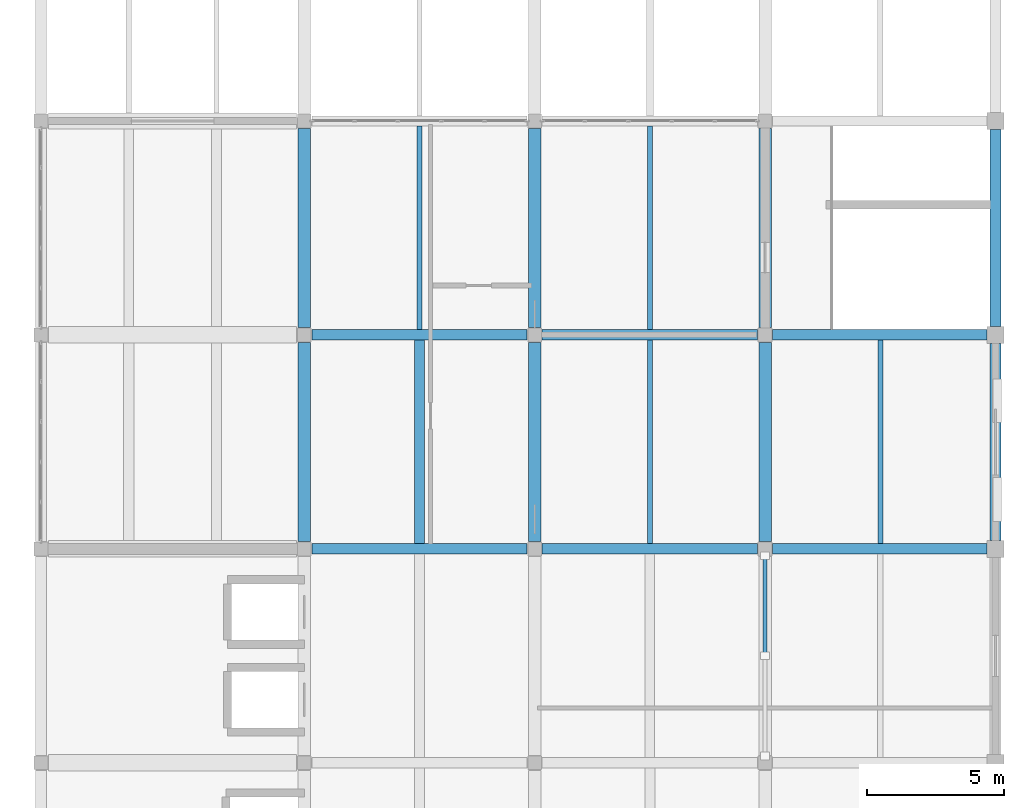
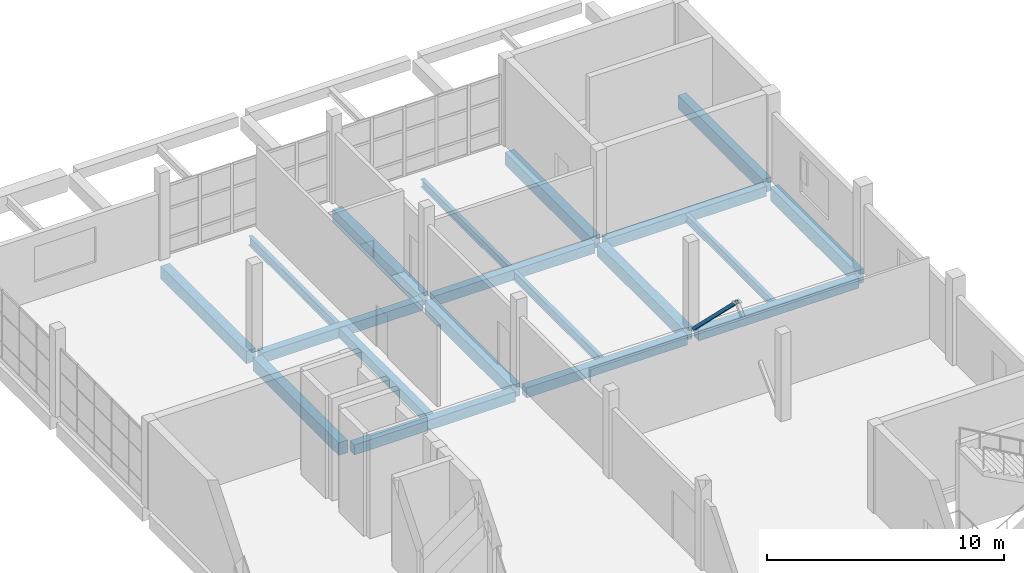
# One storey, part 30 of 53: 19 beams, 1 member.
"""IFC4 building model written with IfcOpenShell, lengths in metres."""

from ifc_helpers import new_model, si_unit, direction, frame, origin, origin_2d, place, context, subcontext, project, spatial, rectangle, hollow_rectangle, i_section, extrude, material, material_profile, profile_set, type_object, element, save


model = new_model("IFC4")

# Units and contexts
model_context = context("Model", 3, precision=1e-05, world=origin(), true_north=direction((0.0, 1.0)))
body_context = subcontext(model_context, "Body", "Model", "MODEL_VIEW")
ifc_project = project(units=[si_unit("LENGTHUNIT", "METRE"), si_unit("AREAUNIT", "SQUARE_METRE"), si_unit("VOLUMEUNIT", "CUBIC_METRE"), si_unit("PLANEANGLEUNIT", "RADIAN"), si_unit("MASSUNIT", "GRAM", prefix="KILO")], contexts=[model_context])

# Site, building, storey
site_placement = place(None, origin())
site = spatial("IfcSite", under=ifc_project, at=site_placement, CompositionType="ELEMENT")
building_placement = place(site_placement, origin())
building = spatial("IfcBuilding", under=site, at=building_placement, Name="Pellamere Symphony Hall", CompositionType="ELEMENT")
storey_placement = place(building_placement, frame((0.0, 0.0, 24.0)))
storey = spatial("IfcBuildingStorey", under=building, at=storey_placement, Name="L05", CompositionType="ELEMENT", Elevation=24.0)

# Beams
ifc_material_1 = material(Name="Concrete 40 MPa", Category="concrete")
ifc_material_profile_1 = material_profile(ifc_material_1, rectangle(XDim=0.449951171875, YDim=0.64990234375, at=origin_2d()), Name="RC 450x650")
ifc_profile_set_1 = profile_set([ifc_material_profile_1], Name="Concrete 40 MPa")
beam_type_1 = type_object("IfcBeamType", Name="RC CB-08 450x650", PredefinedType="BEAM", material=ifc_profile_set_1)
for number, where, z_axis, x_axis, name in (
    (1, (147.60009765625, 62.074951171875, -0.5849609375), (0.0, 1.0, 0.0), (-1.0, 0.0, 0.0), "Girder CB-08-Y2119 (L05)"),
    (2, (147.60009765625, 69.875, -0.5849609375), (0.0, 1.0, 0.0), (-1.0, 0.0, 0.0), "Girder CB-08-Y2120 (L05)"),
    (3, (156.0, 62.074951171875, -0.5849609375), (0.0, 1.0, 0.0), (-1.0, 0.0, 0.0), "Girder CB-08-Y2126 (L05)"),
    (4, (156.0, 69.875, -0.5849609375), (0.0, 1.0, 0.0), (-1.0, 0.0, 0.0), "Girder CB-08-Y2127 (L05)"),
    (5, (164.39990234375, 62.074951171875, -0.5849609375), (0.0, 1.0, 0.0), (-1.0, 0.0, 0.0), "Girder CB-08-Y2133 (L05)"),
    (6, (164.39990234375, 69.875, -0.5849609375), (0.0, 1.0, 0.0), (-1.0, 0.0, 0.0), "Girder CB-08-Y2134 (L05)"),
):
    element("IfcBeam", number, at=place(storey_placement, frame(where, z_axis=z_axis, x_axis=x_axis)), inside=storey, type_object=beam_type_1, Name=name, PredefinedType="BEAM", context=body_context, shape_type="SweptSolid", body=[
        extrude(rectangle(XDim=0.449951171875, YDim=0.64990234375, at=origin_2d()), origin(), (0.0, 0.0, 1.0), 7.25),
    ])
ifc_material_2 = material(Name="Concrete 35 MPa", Category="concrete")
ifc_material_profile_2 = material_profile(ifc_material_2, rectangle(XDim=0.35009765625, YDim=0.5, at=origin_2d()), Name="RC 350x500")
ifc_profile_set_2 = profile_set([ifc_material_profile_2], Name="Concrete 35 MPa")
beam_type_2 = type_object("IfcBeamType", Name="RC CB-11 350x500", PredefinedType="BEAM", material=ifc_profile_set_2)
beam_1_placement = place(storey_placement, frame((151.800048828125, 61.989990234375, -0.52490234375), z_axis=(0.0, 1.0, 0.0), x_axis=(-1.0, 0.0, 0.0)))
element("IfcBeam", 7, at=beam_1_placement, inside=storey, type_object=beam_type_2, Name="Secondary Floor Beam CB-11-M1808 (L05)", PredefinedType="BEAM", context=body_context, shape_type="SweptSolid", body=[
    extrude(rectangle(XDim=0.35009765625, YDim=0.5, at=origin_2d()), origin(), (0.0, 0.0, 1.0), 7.419921875),
])
ifc_material_profile_3 = material_profile(ifc_material_1, rectangle(XDim=0.39990234375, YDim=0.699951171875, at=origin_2d()), Name="RC 400x700")
ifc_profile_set_3 = profile_set([ifc_material_profile_3], Name="Concrete 40 MPa")
beam_type_3 = type_object("IfcBeamType", Name="RC CB-13 400x700", PredefinedType="SPANDREL", material=ifc_profile_set_3)
beam_2_placement = place(storey_placement, frame((172.800048828125, 62.110107421875, -0.610107421875), z_axis=(0.0, 1.0, 0.0), x_axis=(-1.0, 0.0, 0.0)))
element("IfcBeam", 8, at=beam_2_placement, inside=storey, type_object=beam_type_3, Name="Girder CB-13-Y2140 (L05)", PredefinedType="SPANDREL", context=body_context, shape_type="SweptSolid", body=[
    extrude(rectangle(XDim=0.39990234375, YDim=0.699951171875, at=origin_2d()), origin(), (0.0, 0.0, 1.0), 7.179931640625),
])
beam_3_placement = place(storey_placement, frame((172.800048828125, 69.909912109375, -0.610107421875), z_axis=(0.0, 1.0, 0.0), x_axis=(-1.0, 0.0, 0.0)))
element("IfcBeam", 9, at=beam_3_placement, inside=storey, type_object=beam_type_3, Name="Girder CB-13-Y2141 (L05)", PredefinedType="SPANDREL", context=body_context, shape_type="SweptSolid", body=[
    extrude(rectangle(XDim=0.39990234375, YDim=0.699951171875, at=origin_2d()), origin(), (0.0, 0.0, 1.0), 7.18017578125),
])
ifc_material_profile_4 = material_profile(ifc_material_1, rectangle(XDim=0.3798828125, YDim=0.52001953125, at=origin_2d()), Name="RC 380x520")
ifc_profile_set_4 = profile_set([ifc_material_profile_4], Name="Concrete 40 MPa")
beam_type_4 = type_object("IfcBeamType", Name="RC CB-21 380x520", PredefinedType="BEAM", material=ifc_profile_set_4)
for number, where, z_axis, x_axis, name in (
    (10, (147.875, 61.800048828125, -0.52001953125), (1.0, 0.0, 0.0), (0.0, 1.0, 0.0), "Girder CB-21-X2043 (L05)"),
    (11, (156.27490234375, 61.800048828125, -0.52001953125), (1.0, 0.0, 0.0), (0.0, 1.0, 0.0), "Girder CB-21-X2044 (L05)"),
):
    element("IfcBeam", number, at=place(storey_placement, frame(where, z_axis=z_axis, x_axis=x_axis)), inside=storey, type_object=beam_type_4, Name=name, PredefinedType="BEAM", context=body_context, shape_type="SweptSolid", body=[
        extrude(rectangle(XDim=0.3798828125, YDim=0.52001953125, at=origin_2d()), origin(), (0.0, 0.0, 1.0), 7.85009765625),
    ])
beam_4_placement = place(storey_placement, frame((164.675048828125, 61.800048828125, -0.52001953125), z_axis=(1.0, 0.0, 0.0), x_axis=(0.0, 1.0, 0.0)))
element("IfcBeam", 12, at=beam_4_placement, inside=storey, type_object=beam_type_4, Name="Girder CB-21-X2045 (L05)", PredefinedType="BEAM", context=body_context, shape_type="SweptSolid", body=[
    extrude(rectangle(XDim=0.3798828125, YDim=0.52001953125, at=origin_2d()), origin(), (0.0, 0.0, 1.0), 7.81494140625),
])
for number, where, z_axis, x_axis, name in (
    (13, (147.875, 69.60009765625, -0.52001953125), (1.0, 0.0, 0.0), (0.0, 1.0, 0.0), "Girder CB-21-X2048 (L05)"),
    (14, (156.27490234375, 69.60009765625, -0.52001953125), (1.0, 0.0, 0.0), (0.0, 1.0, 0.0), "Girder CB-21-X2049 (L05)"),
):
    element("IfcBeam", number, at=place(storey_placement, frame(where, z_axis=z_axis, x_axis=x_axis)), inside=storey, type_object=beam_type_4, Name=name, PredefinedType="BEAM", context=body_context, shape_type="SweptSolid", body=[
        extrude(rectangle(XDim=0.3798828125, YDim=0.52001953125, at=origin_2d()), origin(), (0.0, 0.0, 1.0), 7.85009765625),
    ])
beam_5_placement = place(storey_placement, frame((164.675048828125, 69.60009765625, -0.52001953125), z_axis=(1.0, 0.0, 0.0), x_axis=(0.0, 1.0, 0.0)))
element("IfcBeam", 15, at=beam_5_placement, inside=storey, type_object=beam_type_4, Name="Girder CB-21-X2050 (L05)", PredefinedType="BEAM", context=body_context, shape_type="SweptSolid", body=[
    extrude(rectangle(XDim=0.3798828125, YDim=0.52001953125, at=origin_2d()), origin(), (0.0, 0.0, 1.0), 7.81494140625),
])
ifc_material_3 = material(Name="Steel CSA G40.21 350W", Category="steel")
ifc_material_profile_5 = material_profile(ifc_material_3, i_section(OverallWidth=0.19091796875, OverallDepth=0.4599609375, WebThickness=0.010009765625, FlangeThickness=0.014404296875, at=origin_2d()), Name="W460X82")
ifc_profile_set_5 = profile_set([ifc_material_profile_5], Name="Steel CSA G40.21 350W")
beam_type_5 = type_object("IfcBeamType", Name="Steel Joist SB-17 W460X82", PredefinedType="JOIST", material=ifc_profile_set_5)
for number, where, z_axis, x_axis, name in (
    (16, (151.800048828125, 69.7900390625, -0.5048828125), (0.0, 1.0, 0.0), (-1.0, 0.0, 0.0), "Secondary Floor Beam SB-17-M1809 (L05)"),
    (17, (160.199951171875, 61.989990234375, -0.5048828125), (0.0, 1.0, 0.0), (-1.0, 0.0, 0.0), "Secondary Floor Beam SB-17-M1908 (L05)"),
):
    element("IfcBeam", number, at=place(storey_placement, frame(where, z_axis=z_axis, x_axis=x_axis)), inside=storey, type_object=beam_type_5, Name=name, PredefinedType="JOIST", context=body_context, shape_type="SweptSolid", body=[
        extrude(i_section(OverallWidth=0.19091796875, OverallDepth=0.4599609375, WebThickness=0.010009765625, FlangeThickness=0.014404296875, at=origin_2d()), origin(), (0.0, 0.0, 1.0), 7.419921875),
    ])
ifc_material_profile_6 = material_profile(ifc_material_3, i_section(OverallWidth=0.179931640625, OverallDepth=0.4130859375, WebThickness=0.009765625, FlangeThickness=0.01513671875, at=origin_2d()), Name="W410X74")
ifc_profile_set_6 = profile_set([ifc_material_profile_6], Name="Steel CSA G40.21 350W")
beam_type_6 = type_object("IfcBeamType", Name="Steel Joist SB-19 W410X74", PredefinedType="JOIST", material=ifc_profile_set_6)
for number, where, z_axis, x_axis, name in (
    (18, (160.199951171875, 69.7900390625, -0.4814453125), (0.0, 1.0, 0.0), (-1.0, 0.0, 0.0), "Secondary Floor Beam SB-19-M1909 (L05)"),
    (19, (168.60009765625, 61.989990234375, -0.4814453125), (0.0, 1.0, 0.0), (-1.0, 0.0, 0.0), "Secondary Floor Beam SB-19-M2008 (L05)"),
):
    element("IfcBeam", number, at=place(storey_placement, frame(where, z_axis=z_axis, x_axis=x_axis)), inside=storey, type_object=beam_type_6, Name=name, PredefinedType="JOIST", context=body_context, shape_type="SweptSolid", body=[
        extrude(i_section(OverallWidth=0.179931640625, OverallDepth=0.4130859375, WebThickness=0.009765625, FlangeThickness=0.01513671875, at=origin_2d()), origin(), (0.0, 0.0, 1.0), 7.419921875),
    ])

# Member
ifc_material_profile_7 = material_profile(ifc_material_3, hollow_rectangle(XDim=0.15234375, YDim=0.15234375, WallThickness=0.009521484375, at=origin_2d()), Name="HSS152X152X10")
ifc_profile_set_7 = profile_set([ifc_material_profile_7], Name="Steel CSA G40.21 350W")
member_type = type_object("IfcMemberType", Name="Steel Member SM-06 HSS152X152X10", PredefinedType="BRACE", material=ifc_profile_set_7)
member_placement = place(storey_placement, frame((164.39990234375, 61.550048828125, 0.0), z_axis=(0.0, -0.712947786732, 0.701217122861), x_axis=(1.0, 0.0, 0.0)))
element("IfcMember", 20, at=member_placement, inside=storey, type_object=member_type, Name="Interior Frame Chevron Brace 07B (L05)", PredefinedType="BRACE", context=body_context, shape_type="SweptSolid", body=[
    extrude(hollow_rectangle(XDim=0.15234375, YDim=0.15234375, WallThickness=0.009521484375, at=origin_2d()), origin(), (0.0, 0.0, 1.0), 5.119873046875),
])

save(model, "model.ifc")
